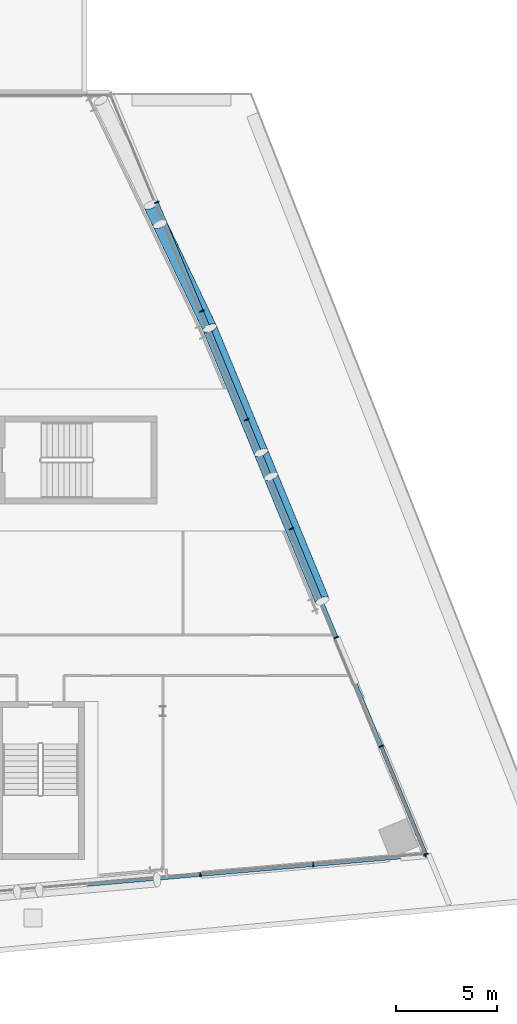
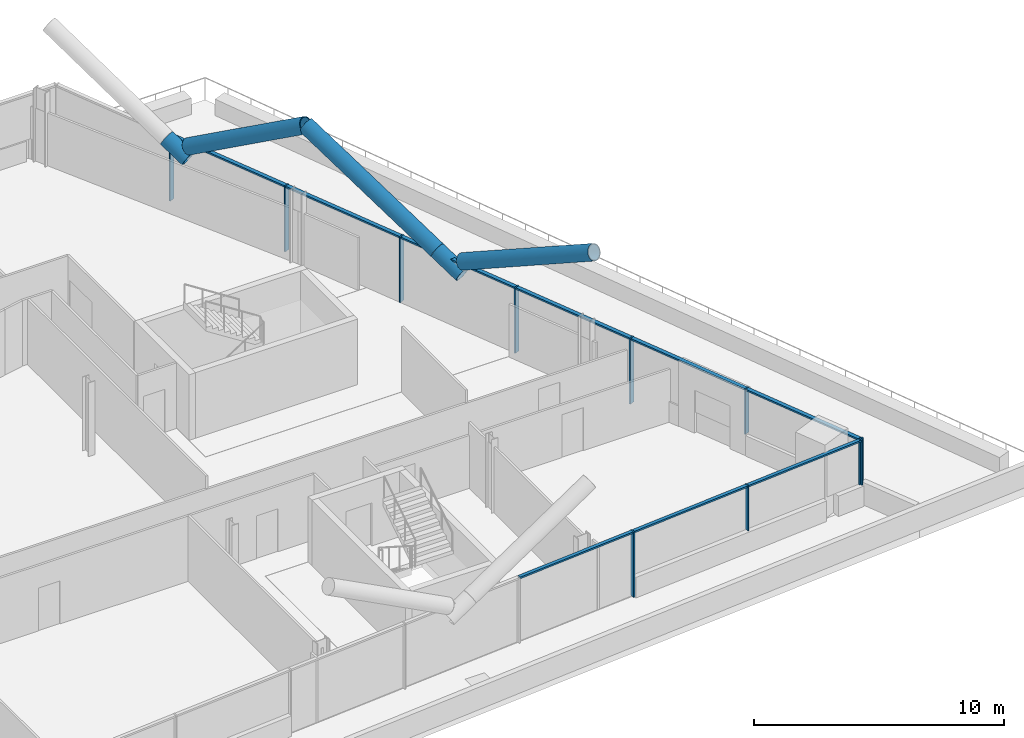
# One storey, part 11 of 30: 24 members, 2 elements without a shape of their own.
"""IFC4 building model written with IfcOpenShell, lengths in metres."""

from ifc_helpers import new_model, si_unit, direction, frame, origin, origin_2d, place, context, subcontext, project, spatial, rectangle, hollow_circle, extrude, material, material_profile, profile_set, type_object, element, aggregate, save


model = new_model("IFC4")

# Units and contexts
model_context = context("Model", 3, precision=1e-05, world=origin(), true_north=direction((0.0, 1.0)))
body_context = subcontext(model_context, "Body", "Model", "MODEL_VIEW")
ifc_project = project(units=[si_unit("LENGTHUNIT", "METRE"), si_unit("AREAUNIT", "SQUARE_METRE"), si_unit("VOLUMEUNIT", "CUBIC_METRE"), si_unit("PLANEANGLEUNIT", "RADIAN"), si_unit("MASSUNIT", "GRAM", prefix="KILO")], contexts=[model_context])

# Site, building, storey
site_placement = place(None, origin())
site = spatial("IfcSite", under=ifc_project, at=site_placement, CompositionType="ELEMENT")
building_placement = place(site_placement, origin())
building = spatial("IfcBuilding", under=site, at=building_placement, Name="Wharfspan Tower", CompositionType="ELEMENT")
storey_placement = place(building_placement, frame((0.0, 0.0, 151.899902)))
storey = spatial("IfcBuildingStorey", under=building, at=storey_placement, Name="L36", CompositionType="ELEMENT", Elevation=151.899902)

# Members
ifc_material_1 = material(Name="Steel S460NH", Category="steel")
ifc_material_profile_1 = material_profile(ifc_material_1, hollow_circle(Radius=0.355469, WallThickness=0.035889, at=origin_2d()))
ifc_profile_set_1 = profile_set([ifc_material_profile_1], Name="Steel S460NH")
member_type_1 = type_object("IfcMemberType", Name="Brace node tie CHS 711x36", PredefinedType="STRUT", material=ifc_profile_set_1)
member_1_placement = place(storey_placement, frame((77.3396, 23.099609, 2.587891), z_axis=(-0.342088, 0.828533, 0.443294), x_axis=(-0.924315, -0.381637, 4e-06)))
element("IfcMember", 1, at=member_1_placement, inside=storey, type_object=member_type_1, Name="Brace node tie L36 E5", PredefinedType="STRUT", context=body_context, shape_type="SweptSolid", body=[
    extrude(hollow_circle(Radius=0.355469, WallThickness=0.035889, at=origin_2d()), origin(), (0.0, 0.0, 1.0), 1.408691),
])
member_2_placement = place(storey_placement, frame((71.854492, 35.55835, 2.599365), z_axis=(-0.374185, 0.78067, 0.500539), x_axis=(-0.901769, -0.432228, -2e-06)))
element("IfcMember", 2, at=member_2_placement, inside=storey, type_object=member_type_1, Name="Brace node tie L36 E6", PredefinedType="STRUT", context=body_context, shape_type="SweptSolid", body=[
    extrude(hollow_circle(Radius=0.355469, WallThickness=0.035889, at=origin_2d()), origin(), (0.0, 0.0, 1.0), 1.201904),
])

# Curtain wall, members
ifc_material_2 = material(Name="Aluminium 6063-T6", Category="aluminium")
curtain_wall_type_1 = type_object("IfcCurtainWallType", Name="CURTAIN WALL FACETED FRONT", PredefinedType="NOTDEFINED", material=ifc_material_2)
curtain_wall_1_placement = place(storey_placement, origin())
curtain_wall_1 = element("IfcCurtainWall", 3, at=curtain_wall_1_placement, inside=storey, type_object=curtain_wall_type_1, Name="Curtain wall S2", PredefinedType="NOTDEFINED")
ifc_material_profile_2 = material_profile(ifc_material_2, rectangle(XDim=0.199951, YDim=0.060059, at=origin_2d()))
ifc_profile_set_2 = profile_set([ifc_material_profile_2], Name="Aluminium 6063-T6")
member_type_2 = type_object("IfcMemberType", Name="MULLION FACETED FRONT 60x200", PredefinedType="MULLION", material=ifc_profile_set_2)
member_3_placement = place(storey_placement, frame((73.857178, 3.425049, 0.0), z_axis=(0.0, 0.0, 1.0), x_axis=(-0.087156, 0.996198, 0.0)))
member_3 = element("IfcMember", 4, at=member_3_placement, type_object=member_type_2, Name="Curtain wall S2 mullion 6", PredefinedType="MULLION", context=body_context, shape_type="SweptSolid", body=[
    extrude(rectangle(XDim=0.199951, YDim=0.060059, at=origin_2d()), origin(), (0.0, 0.0, 1.0), 3.200195),
])
member_4_placement = place(storey_placement, frame((79.428467, 3.912598, 1.0), z_axis=(0.0, 0.0, 1.0), x_axis=(-0.087156, 0.996198, 0.0)))
member_4 = element("IfcMember", 5, at=member_4_placement, type_object=member_type_2, Name="Curtain wall S2 mullion 7", PredefinedType="MULLION", context=body_context, shape_type="SweptSolid", body=[
    extrude(rectangle(XDim=0.199951, YDim=0.060059, at=origin_2d()), origin(), (0.0, 0.0, 1.0), 2.200195),
])
member_5_placement = place(storey_placement, frame((84.970215, 4.397461, 1.0), z_axis=(0.0, 0.0, 1.0), x_axis=(-0.087156, 0.996198, 0.0)))
member_5 = element("IfcMember", 6, at=member_5_placement, type_object=member_type_2, Name="Curtain wall S2 mullion 8", PredefinedType="MULLION", context=body_context, shape_type="SweptSolid", body=[
    extrude(rectangle(XDim=0.199951, YDim=0.060059, at=origin_2d()), origin(), (0.0, 0.0, 1.0), 2.200195),
])

curtain_wall_type_2 = type_object("IfcCurtainWallType", Name="CURTAIN WALL PROW AND END", PredefinedType="NOTDEFINED", material=ifc_material_2)
curtain_wall_2_placement = place(storey_placement, origin())
curtain_wall_2 = element("IfcCurtainWall", 7, at=curtain_wall_2_placement, inside=storey, type_object=curtain_wall_type_2, Name="Curtain wall E", PredefinedType="NOTDEFINED")
ifc_material_profile_3 = material_profile(ifc_material_2, rectangle(XDim=0.23999, YDim=0.060059, at=origin_2d()))
ifc_profile_set_3 = profile_set([ifc_material_profile_3], Name="Aluminium 6063-T6")
member_type_3 = type_object("IfcMemberType", Name="MULLION PROW AND END 60x240", PredefinedType="MULLION", material=ifc_profile_set_3)
member_6_placement = place(storey_placement, frame((84.988525, 4.427734, 1.0), z_axis=(0.0, 0.0, 1.0), x_axis=(-0.924325, -0.381602, 0.0)))
member_6 = element("IfcMember", 8, at=member_6_placement, type_object=member_type_3, Name="Curtain wall E mullion 1", PredefinedType="MULLION", context=body_context, shape_type="SweptSolid", body=[
    extrude(rectangle(XDim=0.23999, YDim=0.060059, at=origin_2d()), origin(), (0.0, 0.0, 1.0), 2.200195),
])
member_7_placement = place(storey_placement, frame((82.782471, 9.771484, 1.0), z_axis=(0.0, 0.0, 1.0), x_axis=(-0.924325, -0.381602, 0.0)))
member_7 = element("IfcMember", 9, at=member_7_placement, type_object=member_type_3, Name="Curtain wall E mullion 2", PredefinedType="MULLION", context=body_context, shape_type="SweptSolid", body=[
    extrude(rectangle(XDim=0.23999, YDim=0.060059, at=origin_2d()), origin(), (0.0, 0.0, 1.0), 2.200195),
])
member_8_placement = place(storey_placement, frame((80.564941, 15.142822, 0.0), z_axis=(0.0, 0.0, 1.0), x_axis=(-0.924325, -0.381602, 0.0)))
member_8 = element("IfcMember", 10, at=member_8_placement, type_object=member_type_3, Name="Curtain wall E mullion 3", PredefinedType="MULLION", context=body_context, shape_type="SweptSolid", body=[
    extrude(rectangle(XDim=0.23999, YDim=0.060059, at=origin_2d()), origin(), (0.0, 0.0, 1.0), 3.200195),
])
member_9_placement = place(storey_placement, frame((78.347412, 20.514404, 0.0), z_axis=(0.0, 0.0, 1.0), x_axis=(-0.924325, -0.381602, 0.0)))
member_9 = element("IfcMember", 11, at=member_9_placement, type_object=member_type_3, Name="Curtain wall E mullion 4", PredefinedType="MULLION", context=body_context, shape_type="SweptSolid", body=[
    extrude(rectangle(XDim=0.23999, YDim=0.060059, at=origin_2d()), origin(), (0.0, 0.0, 1.0), 3.200195),
])
member_10_placement = place(storey_placement, frame((76.129639, 25.885742, 0.0), z_axis=(0.0, 0.0, 1.0), x_axis=(-0.924325, -0.381602, 0.0)))
member_10 = element("IfcMember", 12, at=member_10_placement, type_object=member_type_3, Name="Curtain wall E mullion 5", PredefinedType="MULLION", context=body_context, shape_type="SweptSolid", body=[
    extrude(rectangle(XDim=0.23999, YDim=0.060059, at=origin_2d()), origin(), (0.0, 0.0, 1.0), 3.200195),
])
member_11_placement = place(storey_placement, frame((73.912109, 31.25708, 0.0), z_axis=(0.0, 0.0, 1.0), x_axis=(-0.924325, -0.381602, 0.0)))
member_11 = element("IfcMember", 13, at=member_11_placement, type_object=member_type_3, Name="Curtain wall E mullion 6", PredefinedType="MULLION", context=body_context, shape_type="SweptSolid", body=[
    extrude(rectangle(XDim=0.23999, YDim=0.060059, at=origin_2d()), origin(), (0.0, 0.0, 1.0), 3.200195),
])
member_12_placement = place(storey_placement, frame((71.69458, 36.628662, 0.0), z_axis=(0.0, 0.0, 1.0), x_axis=(-0.924325, -0.381602, 0.0)))
member_12 = element("IfcMember", 14, at=member_12_placement, type_object=member_type_3, Name="Curtain wall E mullion 7", PredefinedType="MULLION", context=body_context, shape_type="SweptSolid", body=[
    extrude(rectangle(XDim=0.23999, YDim=0.060059, at=origin_2d()), origin(), (0.0, 0.0, 1.0), 3.200195),
])

# Members
ifc_material_profile_4 = material_profile(ifc_material_1, hollow_circle(Radius=0.355469, WallThickness=0.035889, at=origin_2d()))
ifc_profile_set_4 = profile_set([ifc_material_profile_4], Name="Steel S460NH")
member_type_4 = type_object("IfcMemberType", Name="Mega brace CHS 711x36", PredefinedType="BRACE", material=ifc_profile_set_4)
for number, where, z_axis, x_axis, name in (
    (15, (76.854248, 24.275146, 3.216797), (-0.342084, 0.828543, 0.443278), (-0.924317, -0.381625, -3e-06), "Mega brace E5 L36 part 2"),
    (16, (77.343018, 23.091309, 3.216797), (0.342045, -0.828562, 0.443271), (0.924337, 0.381581, -3e-06), "Mega brace E5 L36 part 4"),
):
    element("IfcMember", number, at=place(storey_placement, frame(where, z_axis=z_axis, x_axis=x_axis)), inside=storey, type_object=member_type_4, Name=name, PredefinedType="BRACE", context=body_context, shape_type="SweptSolid", body=[
        extrude(hollow_circle(Radius=0.355469, WallThickness=0.035889, at=origin_2d()), origin(), (0.0, 0.0, 1.0), 7.406738),
    ])
member_13_placement = place(storey_placement, frame((71.858154, 35.550537, 3.205811), z_axis=(0.374119, -0.780731, 0.500494), x_axis=(0.90181, 0.432137, -3e-06)))
element("IfcMember", 17, at=member_13_placement, inside=storey, type_object=member_type_4, Name="Mega brace E6 L36 part 4", PredefinedType="BRACE", context=body_context, shape_type="SweptSolid", body=[
    extrude(hollow_circle(Radius=0.355469, WallThickness=0.035889, at=origin_2d()), origin(), (0.0, 0.0, 1.0), 6.581787),
])

# Member
ifc_material_profile_5 = material_profile(ifc_material_2, rectangle(XDim=0.159912, YDim=0.080078, at=origin_2d()))
ifc_profile_set_5 = profile_set([ifc_material_profile_5], Name="Aluminium 6063-T6")
member_type_5 = type_object("IfcMemberType", Name="TRANSOM FACETED FRONT 80x160", PredefinedType="USERDEFINED", material=ifc_profile_set_5)
member_14_placement = place(storey_placement, frame((68.315674, 2.940186, 3.160156), z_axis=(0.996191, 0.087197, 0.0), x_axis=(-0.087197, 0.996191, 0.0)))
member_14 = element("IfcMember", 18, at=member_14_placement, type_object=member_type_5, Name="Curtain wall S2 transom 5", ObjectType="TRANSOM", PredefinedType="USERDEFINED", context=body_context, shape_type="SweptSolid", body=[
    extrude(rectangle(XDim=0.159912, YDim=0.080078, at=origin_2d()), origin(), (0.0, 0.0, 1.0), 5.532471),
])

member_15_placement = place(storey_placement, frame((73.886963, 3.427734, 3.160156), z_axis=(0.996195, 0.087149, 0.0), x_axis=(-0.087149, 0.996195, 0.0)))
member_15 = element("IfcMember", 19, at=member_15_placement, type_object=member_type_5, Name="Curtain wall S2 transom 6", ObjectType="TRANSOM", PredefinedType="USERDEFINED", context=body_context, shape_type="SweptSolid", body=[
    extrude(rectangle(XDim=0.159912, YDim=0.080078, at=origin_2d()), origin(), (0.0, 0.0, 1.0), 5.532715),
])

member_16_placement = place(storey_placement, frame((79.458496, 3.915283, 3.160156), z_axis=(0.996196, 0.087139, 0.0), x_axis=(-0.087139, 0.996196, 0.0)))
member_16 = element("IfcMember", 20, at=member_16_placement, type_object=member_type_5, Name="Curtain wall S2 transom 7", ObjectType="TRANSOM", PredefinedType="USERDEFINED", context=body_context, shape_type="SweptSolid", body=[
    extrude(rectangle(XDim=0.159912, YDim=0.080078, at=origin_2d()), origin(), (0.0, 0.0, 1.0), 5.502686),
])

aggregate(curtain_wall_1, [member_3, member_4, member_5, member_14, member_15, member_16])

ifc_material_profile_6 = material_profile(ifc_material_2, rectangle(XDim=0.179932, YDim=0.080078, at=origin_2d()))
ifc_profile_set_6 = profile_set([ifc_material_profile_6], Name="Aluminium 6063-T6")
member_type_6 = type_object("IfcMemberType", Name="TRANSOM PROW AND END 80x180", PredefinedType="USERDEFINED", material=ifc_profile_set_6)
member_17_placement = place(storey_placement, frame((84.977051, 4.455566, 3.160156), z_axis=(-0.381595, 0.924329, 0.0), x_axis=(-0.924329, -0.381595, 0.0)))
member_17 = element("IfcMember", 21, at=member_17_placement, type_object=member_type_6, Name="Curtain wall E transom 1", ObjectType="TRANSOM", PredefinedType="USERDEFINED", context=body_context, shape_type="SweptSolid", body=[
    extrude(rectangle(XDim=0.179932, YDim=0.080078, at=origin_2d()), origin(), (0.0, 0.0, 1.0), 5.720947),
])

member_18_placement = place(storey_placement, frame((82.770996, 9.799072, 3.160156), z_axis=(-0.381578, 0.924337, 0.0), x_axis=(-0.924337, -0.381578, 0.0)))
member_18 = element("IfcMember", 22, at=member_18_placement, type_object=member_type_6, Name="Curtain wall E transom 2", ObjectType="TRANSOM", PredefinedType="USERDEFINED", context=body_context, shape_type="SweptSolid", body=[
    extrude(rectangle(XDim=0.179932, YDim=0.080078, at=origin_2d()), origin(), (0.0, 0.0, 1.0), 5.751221),
])

member_19_placement = place(storey_placement, frame((80.553467, 15.170654, 3.160156), z_axis=(-0.381629, 0.924315, 0.0), x_axis=(-0.924315, -0.381629, 0.0)))
member_19 = element("IfcMember", 23, at=member_19_placement, type_object=member_type_6, Name="Curtain wall E transom 3", ObjectType="TRANSOM", PredefinedType="USERDEFINED", context=body_context, shape_type="SweptSolid", body=[
    extrude(rectangle(XDim=0.179932, YDim=0.080078, at=origin_2d()), origin(), (0.0, 0.0, 1.0), 5.751221),
])

member_20_placement = place(storey_placement, frame((78.335938, 20.541992, 3.160156), z_axis=(-0.381629, 0.924315, 0.0), x_axis=(-0.924315, -0.381629, 0.0)))
member_20 = element("IfcMember", 24, at=member_20_placement, type_object=member_type_6, Name="Curtain wall E transom 4", ObjectType="TRANSOM", PredefinedType="USERDEFINED", context=body_context, shape_type="SweptSolid", body=[
    extrude(rectangle(XDim=0.179932, YDim=0.080078, at=origin_2d()), origin(), (0.0, 0.0, 1.0), 5.751221),
])

member_21_placement = place(storey_placement, frame((76.118408, 25.91333, 3.160156), z_axis=(-0.381614, 0.924322, 0.0), x_axis=(-0.924322, -0.381614, 0.0)))
member_21 = element("IfcMember", 25, at=member_21_placement, type_object=member_type_6, Name="Curtain wall E transom 5", ObjectType="TRANSOM", PredefinedType="USERDEFINED", context=body_context, shape_type="SweptSolid", body=[
    extrude(rectangle(XDim=0.179932, YDim=0.080078, at=origin_2d()), origin(), (0.0, 0.0, 1.0), 5.751465),
])

member_22_placement = place(storey_placement, frame((73.900635, 31.284912, 3.160156), z_axis=(-0.381593, 0.92433, 0.0), x_axis=(-0.92433, -0.381593, 0.0)))
member_22 = element("IfcMember", 26, at=member_22_placement, type_object=member_type_6, Name="Curtain wall E transom 6", ObjectType="TRANSOM", PredefinedType="USERDEFINED", context=body_context, shape_type="SweptSolid", body=[
    extrude(rectangle(XDim=0.179932, YDim=0.080078, at=origin_2d()), origin(), (0.0, 0.0, 1.0), 5.751221),
])

aggregate(curtain_wall_2, [member_6, member_7, member_8, member_9, member_10, member_11, member_12, member_17, member_18, member_19, member_20, member_21, member_22])

save(model, "model.ifc")
